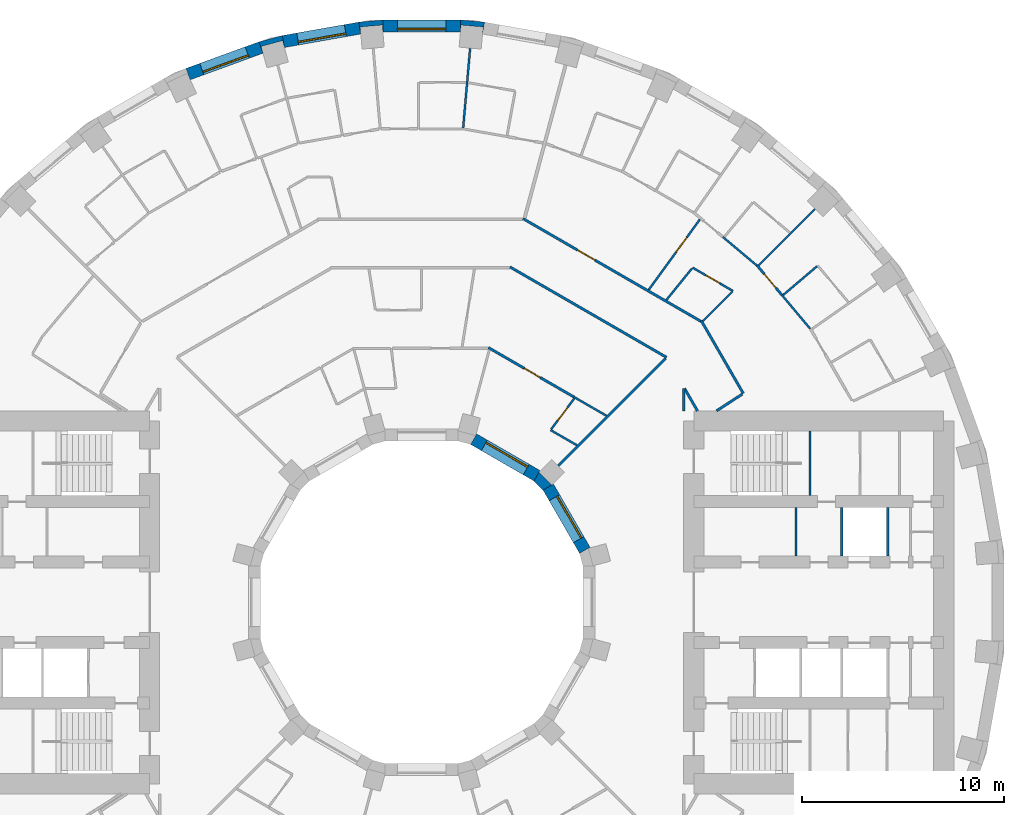
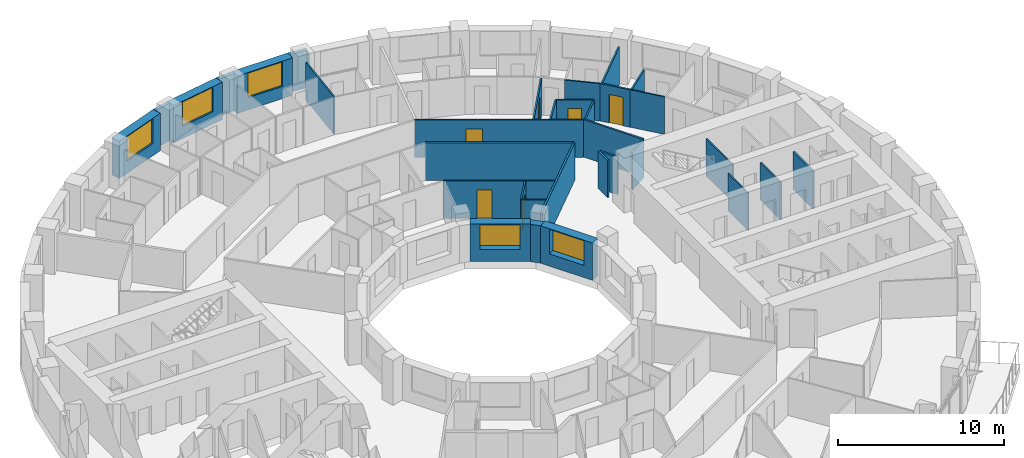
# One storey, part 13 of 17: 34 walls, 6 doors, 5 windows, 11 openings.
"""IFC4 building model written with IfcOpenShell, lengths in metres."""

from ifc_helpers import new_model, si_unit, direction, frame, frame_2d, origin, place, context, subcontext, project, spatial, polyline, rectangle, outline, extrude, material, layer, layer_set, type_object, element, fill, save


model = new_model("IFC4")

# Units and contexts
model_context = context("Model", 3, precision=1e-05, world=origin(), true_north=direction((0.0, 1.0)))
body_context = subcontext(model_context, "Body", "Model", "MODEL_VIEW")
ifc_project = project(units=[si_unit("LENGTHUNIT", "METRE"), si_unit("AREAUNIT", "SQUARE_METRE"), si_unit("VOLUMEUNIT", "CUBIC_METRE"), si_unit("PLANEANGLEUNIT", "RADIAN"), si_unit("MASSUNIT", "GRAM", prefix="KILO")], contexts=[model_context])

# Site, building, storey
site_placement = place(None, origin())
site = spatial("IfcSite", under=ifc_project, at=site_placement, CompositionType="ELEMENT")
building_placement = place(site_placement, origin())
building = spatial("IfcBuilding", under=site, at=building_placement, Name="Saqina Gate Tower", CompositionType="ELEMENT")
storey_placement = place(building_placement, frame((0.0, 0.0, 29.60009765625)))
storey = spatial("IfcBuildingStorey", under=building, at=storey_placement, Name="L07", CompositionType="ELEMENT", Elevation=29.60009765625)

# Walls
ifc_material_1 = material(Name="Brick masonry (red)", Category="masonry")
wall_type_1 = type_object("IfcWallType", Name="BRICK PIER COPING RED", PredefinedType="SOLIDWALL", material=ifc_material_1)
wall_1_placement = place(storey_placement, origin())
element("IfcWall", 1, at=wall_1_placement, inside=storey, type_object=wall_type_1, Name="Pier cap L07 column 9", PredefinedType="SOLIDWALL", context=body_context, shape_type="SweptSolid", body=[
    extrude(outline(polyline([(3.122802734375, 28.78466796875), (1.9228515625, 28.8896484375), (1.9228515625, 28.28955078125), (1.95361328125, 28.638671875), (3.04931640625, 28.54296875), (3.018798828125, 28.19384765625), (3.122802734375, 28.78466796875)])), origin(), (0.0, 0.0, 1.0), 2.75),
])
wall_2_placement = place(storey_placement, origin())
element("IfcWall", 2, at=wall_2_placement, inside=storey, type_object=wall_type_1, Name="Pier cap L07 column 10", PredefinedType="SOLIDWALL", context=body_context, shape_type="SweptSolid", body=[
    extrude(outline(polyline([(-1.9228515625, 28.8896484375), (-3.122802734375, 28.78466796875), (-3.018798828125, 28.19384765625), (-3.04931640625, 28.54296875), (-1.95361328125, 28.638671875), (-1.9228515625, 28.28955078125), (-1.9228515625, 28.8896484375)])), origin(), (0.0, 0.0, 1.0), 2.75),
])
wall_3_placement = place(storey_placement, origin())
element("IfcWall", 3, at=wall_3_placement, inside=storey, type_object=wall_type_1, Name="Pier cap L07 column 11", PredefinedType="SOLIDWALL", context=body_context, shape_type="SweptSolid", body=[
    extrude(outline(polyline([(-6.910400390625, 28.11669921875), (-8.073974609375, 27.80517578125), (-7.86865234375, 27.2412109375), (-7.95947265625, 27.57958984375), (-6.896728515625, 27.864501953125), (-6.80615234375, 27.52587890625), (-6.910400390625, 28.11669921875)])), origin(), (0.0, 0.0, 1.0), 2.75),
])
ifc_material_2 = material(Name="Gypsum board on steel studs", Category="steel")
ifc_layer_1 = layer(ifc_material_2, 0.10009765625)
ifc_layer_set_1 = layer_set([ifc_layer_1], Name="CORE PARTITION")
wall_type_2 = type_object("IfcWallType", Name="CORE PARTITION", PredefinedType="PARTITIONING", material=ifc_layer_set_1)
wall_4_placement = place(storey_placement, frame((18.582763671875, 2.300048828125, 0.0), z_axis=(0.0, 0.0, 1.0), x_axis=(0.0, 1.0, 0.0)))
element("IfcWall", 4, at=wall_4_placement, inside=storey, type_object=wall_type_2, Name="L07-CP-E01", PredefinedType="PARTITIONING", context=body_context, shape_type="SweptSolid", body=[
    extrude(rectangle(XDim=2.39990234375, YDim=0.10009765625, at=frame_2d((1.199951171875, 0.0))), origin(), (0.0, 0.0, 1.0), 2.75),
])

# Wall, opening, window
ifc_material_3 = material(Name="Brick masonry (red)", Category="masonry")
ifc_layer_2 = layer(ifc_material_3, 0.60009765625)
ifc_layer_set_2 = layer_set([ifc_layer_2], Name="FW-BRICK-RED")
wall_type_3 = type_object("IfcWallType", Name="FW-BRICK-RED", PredefinedType="SOLIDWALL", material=ifc_layer_set_2)
wall_5_placement = place(storey_placement, frame((1.9228515625, 28.589599609375, 0.0), z_axis=(0.0, 0.0, 1.0), x_axis=(-1.0, 0.0, 0.0)))
wall_5 = element("IfcWall", 5, at=wall_5_placement, inside=storey, type_object=wall_type_3, Name="Facade wall L07 facet 9", PredefinedType="SOLIDWALL", context=body_context, shape_type="SweptSolid", body=[
    extrude(rectangle(XDim=3.845703125, YDim=0.60009765625, at=frame_2d((1.9228515625, 0.0))), origin(), (0.0, 0.0, 1.0), 2.75),
])
opening_1_placement = place(wall_5_placement, frame((0.722900390625, 0.0, 0.89990234375)))
opening_1 = element("IfcOpeningElement", 6, at=opening_1_placement, cuts=wall_5, Name="Opening G01-W07", PredefinedType="OPENING", context=body_context, shape_type="SweptSolid", body=[
    extrude(rectangle(XDim=2.39990234375, YDim=1.800048828125, at=frame_2d((1.199951171875, 0.89990234375))), frame((0.0, 0.31201171875, 0.0), z_axis=(0.0, -1.0, 0.0), x_axis=(1.0, 0.0, 0.0)), (0.0, 0.0, 1.0), 0.6240234375),
])
ifc_material_4 = material(Name="Aluminium glazing", Category="aluminium")
window_type_1 = type_object("IfcWindowType", Name="WN-A", PartitioningType="SINGLE_PANEL", PredefinedType="WINDOW", material=ifc_material_4)
window_1_placement = place(opening_1_placement, origin())
window_1 = element("IfcWindow", 7, at=window_1_placement, inside=storey, type_object=window_type_1, Name="Window L07 facet 9", OverallHeight=1.800048828125, OverallWidth=2.39990234375, PartitioningType="SINGLE_PANEL", PredefinedType="WINDOW", context=body_context, shape_type="SweptSolid", body=[
    extrude(rectangle(XDim=2.39990234375, YDim=1.800048828125, at=frame_2d((1.199951171875, 0.89990234375))), frame((0.0, 0.179931640625, 0.0), z_axis=(0.0, -1.0, 0.0), x_axis=(1.0, 0.0, 0.0)), (0.0, 0.0, 1.0), 0.06005859375),
])
fill(opening_1, window_1)

wall_6_placement = place(storey_placement, frame((-3.07080078125, 28.4892578125, 0.0), z_axis=(0.0, 0.0, 1.0), x_axis=(-0.984800809218, -0.173687553279, 0.0)))
wall_6 = element("IfcWall", 8, at=wall_6_placement, inside=storey, type_object=wall_type_3, Name="Facade wall L07 facet 10", PredefinedType="SOLIDWALL", context=body_context, shape_type="SweptSolid", body=[
    extrude(rectangle(XDim=3.845703125, YDim=0.60009765625, at=frame_2d((1.9228515625, 0.0))), origin(), (0.0, 0.0, 1.0), 2.75),
])
opening_2_placement = place(wall_6_placement, frame((0.722900390625, 0.0, 0.89990234375)))
opening_2 = element("IfcOpeningElement", 9, at=opening_2_placement, cuts=wall_6, Name="Opening G01-W08", PredefinedType="OPENING", context=body_context, shape_type="SweptSolid", body=[
    extrude(rectangle(XDim=2.39990234375, YDim=1.800048828125, at=frame_2d((1.199951171875, 0.89990234375))), frame((0.0, 0.31201171875, 0.0), z_axis=(0.0, -1.0, 0.0), x_axis=(1.0, 0.0, 0.0)), (0.0, 0.0, 1.0), 0.6240234375),
])
window_2_placement = place(opening_2_placement, origin())
window_2 = element("IfcWindow", 10, at=window_2_placement, inside=storey, type_object=window_type_1, Name="Window L07 facet 10", OverallHeight=1.800048828125, OverallWidth=2.39990234375, PartitioningType="SINGLE_PANEL", PredefinedType="WINDOW", context=body_context, shape_type="SweptSolid", body=[
    extrude(rectangle(XDim=2.39990234375, YDim=1.800048828125, at=frame_2d((1.199951171875, 0.89990234375))), frame((0.0, 0.179931640625, 0.0), z_axis=(0.0, -1.0, 0.0), x_axis=(1.0, 0.0, 0.0)), (0.0, 0.0, 1.0), 0.06005859375),
])
fill(opening_2, window_2)

wall_7_placement = place(storey_placement, frame((-7.97119140625, 27.523193359375, 0.0), z_axis=(0.0, 0.0, 1.0), x_axis=(-0.939689588564, -0.342028474173, 0.0)))
wall_7 = element("IfcWall", 11, at=wall_7_placement, inside=storey, type_object=wall_type_3, Name="Facade wall L07 facet 11", PredefinedType="SOLIDWALL", context=body_context, shape_type="SweptSolid", body=[
    extrude(rectangle(XDim=3.845947265625, YDim=0.60009765625, at=frame_2d((1.9228515625, 0.0))), origin(), (0.0, 0.0, 1.0), 2.75),
])
opening_3_placement = place(wall_7_placement, frame((0.722900390625, 0.0, 0.89990234375)))
opening_3 = element("IfcOpeningElement", 12, at=opening_3_placement, cuts=wall_7, Name="Opening G01-W09", PredefinedType="OPENING", context=body_context, shape_type="SweptSolid", body=[
    extrude(rectangle(XDim=2.39990234375, YDim=1.800048828125, at=frame_2d((1.199951171875, 0.89990234375))), frame((0.0, 0.31201171875, 0.0), z_axis=(0.0, -1.0, 0.0), x_axis=(1.0, 0.0, 0.0)), (0.0, 0.0, 1.0), 0.6240234375),
])
window_3_placement = place(opening_3_placement, origin())
window_3 = element("IfcWindow", 13, at=window_3_placement, inside=storey, type_object=window_type_1, Name="Window L07 facet 11", OverallHeight=1.800048828125, OverallWidth=2.39990234375, PartitioningType="SINGLE_PANEL", PredefinedType="WINDOW", context=body_context, shape_type="SweptSolid", body=[
    extrude(rectangle(XDim=2.39990234375, YDim=1.800048828125, at=frame_2d((1.199951171875, 0.89990234375))), frame((0.0, 0.179931640625, 0.0), z_axis=(0.0, -1.0, 0.0), x_axis=(1.0, 0.0, 0.0)), (0.0, 0.0, 1.0), 0.06005859375),
])
fill(opening_3, window_3)

ifc_material_5 = material(Name="Glazed ceramic tile", Category="ceramic")
ifc_layer_3 = layer(ifc_material_5, 0.60009765625)
ifc_layer_set_3 = layer_set([ifc_layer_3], Name="IW-TILE")
wall_type_4 = type_object("IfcWallType", Name="IW-TILE", PredefinedType="SOLIDWALL", material=ifc_layer_set_3)
wall_8_placement = place(storey_placement, frame((8.09423828125, 2.580322265625, 0.0), z_axis=(0.0, 0.0, 1.0), x_axis=(-0.499992569217, 0.866029693906, 0.0)))
wall_8 = element("IfcWall", 14, at=wall_8_placement, inside=storey, type_object=wall_type_4, Name="Well wall L07 facet 1", PredefinedType="SOLIDWALL", context=body_context, shape_type="SweptSolid", body=[
    extrude(rectangle(XDim=3.625, YDim=0.60009765625, at=frame_2d((1.8125, 0.0))), origin(), (0.0, 0.0, 1.0), 2.75),
])
opening_4_placement = place(wall_8_placement, frame((0.612548828125, 0.0, 0.89990234375)))
opening_4 = element("IfcOpeningElement", 15, at=opening_4_placement, cuts=wall_8, Name="Opening G01-W23", PredefinedType="OPENING", context=body_context, shape_type="SweptSolid", body=[
    extrude(rectangle(XDim=2.39990234375, YDim=1.800048828125, at=frame_2d((1.199951171875, 0.89990234375))), frame((0.0, 0.31201171875, 0.0), z_axis=(0.0, -1.0, 0.0), x_axis=(1.0, 0.0, 0.0)), (0.0, 0.0, 1.0), 0.6240234375),
])
ifc_material_6 = material(Name="Aluminium glazing", Category="aluminium")
window_type_2 = type_object("IfcWindowType", Name="WN-W", PartitioningType="SINGLE_PANEL", PredefinedType="WINDOW", material=ifc_material_6)
window_4_placement = place(opening_4_placement, origin())
window_4 = element("IfcWindow", 16, at=window_4_placement, inside=storey, type_object=window_type_2, Name="Well window L07 facet 1", OverallHeight=1.800048828125, OverallWidth=2.39990234375, PartitioningType="SINGLE_PANEL", PredefinedType="WINDOW", context=body_context, shape_type="SweptSolid", body=[
    extrude(rectangle(XDim=2.39990234375, YDim=1.800048828125, at=frame_2d((1.199951171875, 0.89990234375))), frame((0.0, -0.119873046875, 0.0), z_axis=(0.0, -1.0, 0.0), x_axis=(1.0, 0.0, 0.0)), (0.0, 0.0, 1.0), 0.06005859375),
])
fill(opening_4, window_4)

wall_9_placement = place(storey_placement, frame((5.7197265625, 6.28173828125, 0.0), z_axis=(0.0, 0.0, 1.0), x_axis=(-0.866029693906, 0.499992569217, 0.0)))
wall_9 = element("IfcWall", 17, at=wall_9_placement, inside=storey, type_object=wall_type_4, Name="Well wall L07 facet 2", PredefinedType="SOLIDWALL", context=body_context, shape_type="SweptSolid", body=[
    extrude(rectangle(XDim=3.625, YDim=0.60009765625, at=frame_2d((1.8125, 0.0))), origin(), (0.0, 0.0, 1.0), 2.75),
])
opening_5_placement = place(wall_9_placement, frame((0.612548828125, 0.0, 0.89990234375)))
opening_5 = element("IfcOpeningElement", 18, at=opening_5_placement, cuts=wall_9, Name="Opening G01-W24", PredefinedType="OPENING", context=body_context, shape_type="SweptSolid", body=[
    extrude(rectangle(XDim=2.39990234375, YDim=1.800048828125, at=frame_2d((1.199951171875, 0.89990234375))), frame((0.0, 0.31201171875, 0.0), z_axis=(0.0, -1.0, 0.0), x_axis=(1.0, 0.0, 0.0)), (0.0, 0.0, 1.0), 0.6240234375),
])
window_5_placement = place(opening_5_placement, origin())
window_5 = element("IfcWindow", 19, at=window_5_placement, inside=storey, type_object=window_type_2, Name="Well window L07 facet 2", OverallHeight=1.800048828125, OverallWidth=2.39990234375, PartitioningType="SINGLE_PANEL", PredefinedType="WINDOW", context=body_context, shape_type="SweptSolid", body=[
    extrude(rectangle(XDim=2.39990234375, YDim=1.800048828125, at=frame_2d((1.199951171875, 0.89990234375))), frame((0.0, -0.119873046875, 0.0), z_axis=(0.0, -1.0, 0.0), x_axis=(1.0, 0.0, 0.0)), (0.0, 0.0, 1.0), 0.06005859375),
])
fill(opening_5, window_5)

# Walls
ifc_material_7 = material(Name="Gypsum board on steel studs, 100 mm", Category="steel")
ifc_layer_4 = layer(ifc_material_7, 0.10009765625)
ifc_layer_set_4 = layer_set([ifc_layer_4], Name="PARTITION 100")
wall_type_5 = type_object("IfcWallType", Name="PARTITION 100", PredefinedType="PARTITIONING", material=ifc_layer_set_4)
wall_10_placement = place(storey_placement, frame((17.865478515625, 15.251953125, 0.0), z_axis=(0.0, 0.0, 1.0), x_axis=(0.642711379907, -0.766108401036, 0.0)))
element("IfcWall", 20, at=wall_10_placement, inside=storey, type_object=wall_type_5, Name="PARTITION PW3-29", PredefinedType="PARTITIONING", context=body_context, shape_type="SweptSolid", body=[
    extrude(rectangle(XDim=2.192138671875, YDim=0.10009765625, at=frame_2d((1.09619140625, 0.0))), origin(), (0.0, 0.0, 1.0), 2.75),
])
wall_11_placement = place(storey_placement, frame((14.945556640625, 18.122802734375, 0.0), z_axis=(0.0, 0.0, 1.0), x_axis=(0.765889072534, -0.642972727705, 0.0)))
element("IfcWall", 21, at=wall_11_placement, inside=storey, type_object=wall_type_5, Name="PARTITION PW3-34", PredefinedType="PARTITIONING", context=body_context, shape_type="SweptSolid", body=[
    extrude(rectangle(XDim=2.19287109375, YDim=0.10009765625, at=frame_2d((1.096435546875, 0.0))), origin(), (0.0, 0.0, 1.0), 2.75),
])
wall_12_placement = place(storey_placement, frame((6.39697265625, 8.5458984375, 0.0), z_axis=(0.0, 0.0, 1.0), x_axis=(0.866317379693, -0.499493941547, 0.0)))
element("IfcWall", 22, at=wall_12_placement, inside=storey, type_object=wall_type_5, Name="PARTITION PW3-41", PredefinedType="PARTITIONING", context=body_context, shape_type="SweptSolid", body=[
    extrude(rectangle(XDim=1.5107421875, YDim=0.10009765625, at=frame_2d((0.75537109375, 0.0))), origin(), (0.0, 0.0, 1.0), 2.75),
])
wall_13_placement = place(storey_placement, frame((7.560791015625, 10.18408203125, 0.0), z_axis=(0.0, 0.0, 1.0), x_axis=(0.866043361281, -0.499968895414, 0.0)))
element("IfcWall", 23, at=wall_13_placement, inside=storey, type_object=wall_type_5, Name="PARTITION PW3-42", PredefinedType="PARTITIONING", context=body_context, shape_type="SweptSolid", body=[
    extrude(rectangle(XDim=1.85791015625, YDim=0.10009765625, at=frame_2d((0.928955078125, 0.0))), origin(), (0.0, 0.0, 1.0), 2.75),
])

# Wall, opening, door
wall_14_placement = place(storey_placement, frame((13.44091796875, 16.60400390625, 0.0), z_axis=(0.0, 0.0, 1.0), x_axis=(0.865969595378, -0.500096650539, 0.0)))
wall_14 = element("IfcWall", 24, at=wall_14_placement, inside=storey, type_object=wall_type_5, Name="PARTITION PW3-43", PredefinedType="PARTITIONING", context=body_context, shape_type="SweptSolid", body=[
    extrude(rectangle(XDim=2.3154296875, YDim=0.10009765625, at=frame_2d((1.15771484375, 0.0))), origin(), (0.0, 0.0, 1.0), 2.75),
])
opening_6_placement = place(wall_14_placement, frame((0.7578125, 0.0, 0.0)))
opening_6 = element("IfcOpeningElement", 25, at=opening_6_placement, cuts=wall_14, Name="Opening G01-D06", PredefinedType="OPENING", context=body_context, shape_type="SweptSolid", body=[
    extrude(rectangle(XDim=0.800048828125, YDim=2.10009765625, at=frame_2d((0.39990234375, 1.050048828125))), frame((0.0, 0.06201171875, 0.0), z_axis=(0.0, -1.0, 0.0), x_axis=(1.0, 0.0, 0.0)), (0.0, 0.0, 1.0), 0.1240234375),
])
ifc_material_8 = material(Name="Timber door leaf, 800 mm", Category="wood")
door_type_1 = type_object("IfcDoorType", Name="DOOR 800 TIMBER", OperationType="SINGLE_SWING_LEFT", PredefinedType="DOOR", material=ifc_material_8)
door_1_placement = place(opening_6_placement, origin())
door_1 = element("IfcDoor", 26, at=door_1_placement, inside=storey, type_object=door_type_1, Name="DOOR G01-D06", OperationType="SINGLE_SWING_RIGHT", OverallHeight=2.10009765625, OverallWidth=0.800048828125, PredefinedType="DOOR", context=body_context, shape_type="SweptSolid", body=[
    extrude(rectangle(XDim=0.800048828125, YDim=2.10009765625, at=frame_2d((0.39990234375, 1.050048828125))), frame((0.0, 0.02490234375, 0.0), z_axis=(0.0, -1.0, 0.0), x_axis=(1.0, 0.0, 0.0)), (0.0, 0.0, 1.0), 0.050048828125),
])
fill(opening_6, door_1)

# Walls
wall_15_placement = place(storey_placement, frame((17.93603515625, 15.246337890625, 0.0), z_axis=(0.0, 0.0, 1.0), x_axis=(0.76174213422, 0.647880329192, 0.0)))
element("IfcWall", 27, at=wall_15_placement, inside=storey, type_object=wall_type_5, Name="PARTITION PW3-89", PredefinedType="PARTITIONING", context=body_context, shape_type="SweptSolid", body=[
    extrude(rectangle(XDim=2.199951171875, YDim=0.10009765625, at=frame_2d((1.10009765625, 0.0))), origin(), (0.0, 0.0, 1.0), 2.75),
])
wall_16_placement = place(storey_placement, frame((13.953125, 13.953125, 0.0), z_axis=(0.0, 0.0, 1.0), x_axis=(0.707106781187, 0.707106781187, 0.0)))
element("IfcWall", 28, at=wall_16_placement, inside=storey, type_object=wall_type_5, Name="PARTITION PW3-90", PredefinedType="PARTITIONING", context=body_context, shape_type="SweptSolid", body=[
    extrude(rectangle(XDim=2.061279296875, YDim=0.10009765625, at=frame_2d((1.03076171875, 0.0))), origin(), (0.0, 0.0, 1.0), 2.75),
])
wall_17_placement = place(storey_placement, frame((16.71728515625, 16.71728515625, 0.0), z_axis=(0.0, 0.0, 1.0), x_axis=(0.707106781187, 0.707106781187, 0.0)))
element("IfcWall", 29, at=wall_17_placement, inside=storey, type_object=wall_type_5, Name="PARTITION PW3-91", PredefinedType="PARTITIONING", context=body_context, shape_type="SweptSolid", body=[
    extrude(rectangle(XDim=3.9482421875, YDim=0.10009765625, at=frame_2d((1.97412109375, 0.0))), origin(), (0.0, 0.0, 1.0), 2.75),
])
wall_18_placement = place(storey_placement, frame((12.142578125, 15.0, 0.0), z_axis=(0.0, 0.0, 1.0), x_axis=(0.629135445443, 0.777295691026, 0.0)))
element("IfcWall", 30, at=wall_18_placement, inside=storey, type_object=wall_type_5, Name="PARTITION PW3-95", PredefinedType="PARTITIONING", context=body_context, shape_type="SweptSolid", body=[
    extrude(rectangle(XDim=2.013671875, YDim=0.10009765625, at=frame_2d((1.0068359375, 0.0))), origin(), (0.0, 0.0, 1.0), 2.75),
])

# Wall, opening, door
wall_19_placement = place(storey_placement, frame((6.427001953125, 8.5859375, 0.0), z_axis=(0.0, 0.0, 1.0), x_axis=(0.599137140235, 0.800646418334, 0.0)))
wall_19 = element("IfcWall", 31, at=wall_19_placement, inside=storey, type_object=wall_type_5, Name="PARTITION PW3-97", PredefinedType="PARTITIONING", context=body_context, shape_type="SweptSolid", body=[
    extrude(rectangle(XDim=1.902099609375, YDim=0.10009765625, at=frame_2d((0.951171875, 0.0))), origin(), (0.0, 0.0, 1.0), 2.75),
])
opening_7_placement = place(wall_19_placement, frame((0.557373046875, 0.0, 0.0)))
opening_7 = element("IfcOpeningElement", 32, at=opening_7_placement, cuts=wall_19, Name="Opening G01-D08", PredefinedType="OPENING", context=body_context, shape_type="SweptSolid", body=[
    extrude(rectangle(XDim=0.800048828125, YDim=2.10009765625, at=frame_2d((0.39990234375, 1.050048828125))), frame((0.0, 0.06201171875, 0.0), z_axis=(0.0, -1.0, 0.0), x_axis=(1.0, 0.0, 0.0)), (0.0, 0.0, 1.0), 0.1240234375),
])
door_2_placement = place(opening_7_placement, origin())
door_2 = element("IfcDoor", 33, at=door_2_placement, inside=storey, type_object=door_type_1, Name="DOOR G01-D08", OperationType="SINGLE_SWING_RIGHT", OverallHeight=2.10009765625, OverallWidth=0.800048828125, PredefinedType="DOOR", context=body_context, shape_type="SweptSolid", body=[
    extrude(rectangle(XDim=0.800048828125, YDim=2.10009765625, at=frame_2d((0.39990234375, 1.050048828125))), frame((0.0, 0.02490234375, 0.0), z_axis=(0.0, -1.0, 0.0), x_axis=(1.0, 0.0, 0.0)), (0.0, 0.0, 1.0), 0.050048828125),
])
fill(opening_7, door_2)

wall_20_placement = place(storey_placement, frame((11.265869140625, 15.5068359375, 0.0), z_axis=(0.0, 0.0, 1.0), x_axis=(0.587926223092, 0.808914554326, 0.0)))
wall_20 = element("IfcWall", 34, at=wall_20_placement, inside=storey, type_object=wall_type_5, Name="PARTITION PW3-98", PredefinedType="PARTITIONING", context=body_context, shape_type="SweptSolid", body=[
    extrude(rectangle(XDim=4.3173828125, YDim=0.10009765625, at=frame_2d((2.15869140625, 0.0))), origin(), (0.0, 0.0, 1.0), 2.75),
])
opening_8_placement = place(wall_20_placement, frame((2.30859375, 0.0, 0.0)))
opening_8 = element("IfcOpeningElement", 35, at=opening_8_placement, cuts=wall_20, Name="Opening G01-D09", PredefinedType="OPENING", context=body_context, shape_type="SweptSolid", body=[
    extrude(rectangle(XDim=0.89990234375, YDim=2.10009765625, at=frame_2d((0.449951171875, 1.050048828125))), frame((0.0, 0.06201171875, 0.0), z_axis=(0.0, -1.0, 0.0), x_axis=(1.0, 0.0, 0.0)), (0.0, 0.0, 1.0), 0.1240234375),
])
ifc_material_9 = material(Name="Timber door leaf, 900 mm", Category="wood")
door_type_2 = type_object("IfcDoorType", Name="DOOR 900 TIMBER", OperationType="SINGLE_SWING_LEFT", PredefinedType="DOOR", material=ifc_material_9)
door_3_placement = place(opening_8_placement, frame((0.89990234375, 0.0, 0.0), z_axis=(0.0, 0.0, 1.0), x_axis=(-1.0, 0.0, 0.0)))
door_3 = element("IfcDoor", 36, at=door_3_placement, inside=storey, type_object=door_type_2, Name="DOOR G01-D09", OperationType="SINGLE_SWING_LEFT", OverallHeight=2.10009765625, OverallWidth=0.89990234375, PredefinedType="DOOR", context=body_context, shape_type="SweptSolid", body=[
    extrude(rectangle(XDim=0.89990234375, YDim=2.10009765625, at=frame_2d((0.449951171875, 1.050048828125))), frame((0.0, 0.02490234375, 0.0), z_axis=(0.0, -1.0, 0.0), x_axis=(1.0, 0.0, 0.0)), (0.0, 0.0, 1.0), 0.050048828125),
])
fill(opening_8, door_3)

# Walls
wall_21_placement = place(storey_placement, frame((2.059326171875, 23.539794921875, 0.0), z_axis=(0.0, 0.0, 1.0), x_axis=(0.087044593785, 0.996204416118, 0.0)))
element("IfcWall", 37, at=wall_21_placement, inside=storey, type_object=wall_type_5, Name="PARTITION PW3-118", PredefinedType="PARTITIONING", context=body_context, shape_type="SweptSolid", body=[
    extrude(rectangle(XDim=3.96044921875, YDim=0.10009765625, at=frame_2d((1.980224609375, 0.0))), origin(), (0.0, 0.0, 1.0), 2.75),
])
ifc_material_10 = material(Name="Gypsum board on steel studs, 125 mm, fire rated", Category="steel")
ifc_layer_5 = layer(ifc_material_10, 0.125)
ifc_layer_set_5 = layer_set([ifc_layer_5], Name="PARTITION EI 30 125")
wall_type_6 = type_object("IfcWallType", Name="PARTITION EI 30 125", PredefinedType="PARTITIONING", material=ifc_layer_set_5)
wall_22_placement = place(storey_placement, frame((13.0400390625, 10.61376953125, 0.0), z_axis=(0.0, 0.0, 1.0), x_axis=(0.500018234033, -0.866014876105, 0.0)))
element("IfcWall", 38, at=wall_22_placement, inside=storey, type_object=wall_type_6, Name="PARTITION PW1-04", PredefinedType="PARTITIONING", context=body_context, shape_type="SweptSolid", body=[
    extrude(rectangle(XDim=1.2861328125, YDim=0.125, at=frame_2d((0.64306640625, 0.0))), origin(), (0.0, 0.0, 1.0), 2.75),
])
wall_23_placement = place(storey_placement, frame((13.872802734375, 13.971435546875, 0.0), z_axis=(0.0, 0.0, 1.0), x_axis=(0.500063859158, -0.865988531543, 0.0)))
element("IfcWall", 39, at=wall_23_placement, inside=storey, type_object=wall_type_6, Name="PARTITION PW1-05", PredefinedType="PARTITIONING", context=body_context, shape_type="SweptSolid", body=[
    extrude(rectangle(XDim=4.16796875, YDim=0.125, at=frame_2d((2.083984375, 0.0))), origin(), (0.0, 0.0, 1.0), 2.75),
])

# Wall, opening, door
wall_24_placement = place(storey_placement, frame((16.632080078125, 16.7216796875, 0.0), z_axis=(0.0, 0.0, 1.0), x_axis=(0.64304586183, -0.765827669638, 0.0)))
wall_24 = element("IfcWall", 40, at=wall_24_placement, inside=storey, type_object=wall_type_6, Name="PARTITION PW1-07", PredefinedType="PARTITIONING", context=body_context, shape_type="SweptSolid", body=[
    extrude(rectangle(XDim=1.918701171875, YDim=0.125, at=frame_2d((0.95947265625, 0.0))), origin(), (0.0, 0.0, 1.0), 2.75),
])
opening_9_placement = place(wall_24_placement, frame((0.56591796875, 0.0, 0.0)))
opening_9 = element("IfcOpeningElement", 41, at=opening_9_placement, cuts=wall_24, Name="Opening G01-D04", PredefinedType="OPENING", context=body_context, shape_type="SweptSolid", body=[
    extrude(rectangle(XDim=0.89990234375, YDim=2.10009765625, at=frame_2d((0.449951171875, 1.050048828125))), frame((0.0, 0.074462890625, 0.0), z_axis=(0.0, -1.0, 0.0), x_axis=(1.0, 0.0, 0.0)), (0.0, 0.0, 1.0), 0.14892578125),
])
ifc_material_11 = material(Name="Fire door leaf EI 30, 900 mm")
door_type_3 = type_object("IfcDoorType", Name="DOOR 900 EI 30", OperationType="SINGLE_SWING_LEFT", PredefinedType="DOOR", material=ifc_material_11)
door_4_placement = place(opening_9_placement, frame((0.89990234375, 0.0, 0.0), z_axis=(0.0, 0.0, 1.0), x_axis=(-1.0, 0.0, 0.0)))
door_4 = element("IfcDoor", 42, at=door_4_placement, inside=storey, type_object=door_type_3, Name="DOOR G01-D04", OperationType="SINGLE_SWING_RIGHT", OverallHeight=2.10009765625, OverallWidth=0.89990234375, PredefinedType="DOOR", context=body_context, shape_type="SweptSolid", body=[
    extrude(rectangle(XDim=0.89990234375, YDim=2.10009765625, at=frame_2d((0.449951171875, 1.050048828125))), frame((0.0, 0.02490234375, 0.0), z_axis=(0.0, -1.0, 0.0), x_axis=(1.0, 0.0, 0.0)), (0.0, 0.0, 1.0), 0.050048828125),
])
fill(opening_9, door_4)

wall_25_placement = place(storey_placement, frame((3.3134765625, 12.635986328125, 0.0), z_axis=(0.0, 0.0, 1.0), x_axis=(0.86605046449, -0.499956591072, 0.0)))
wall_25 = element("IfcWall", 43, at=wall_25_placement, inside=storey, type_object=wall_type_6, Name="PARTITION PW1-17", PredefinedType="PARTITIONING", context=body_context, shape_type="SweptSolid", body=[
    extrude(rectangle(XDim=4.904296875, YDim=0.125, at=frame_2d((2.4521484375, 0.0))), origin(), (0.0, 0.0, 1.0), 2.75),
])
opening_10_placement = place(wall_25_placement, frame((2.063232421875, 0.0, 0.0)))
opening_10 = element("IfcOpeningElement", 44, at=opening_10_placement, cuts=wall_25, Name="Opening G01-D12", PredefinedType="OPENING", context=body_context, shape_type="SweptSolid", body=[
    extrude(rectangle(XDim=0.89990234375, YDim=2.10009765625, at=frame_2d((0.449951171875, 1.050048828125))), frame((0.0, 0.074462890625, 0.0), z_axis=(0.0, -1.0, 0.0), x_axis=(1.0, 0.0, 0.0)), (0.0, 0.0, 1.0), 0.14892578125),
])
door_5_placement = place(opening_10_placement, origin())
door_5 = element("IfcDoor", 45, at=door_5_placement, inside=storey, type_object=door_type_3, Name="DOOR G01-D12", OperationType="SINGLE_SWING_RIGHT", OverallHeight=2.10009765625, OverallWidth=0.89990234375, PredefinedType="DOOR", context=body_context, shape_type="SweptSolid", body=[
    extrude(rectangle(XDim=0.89990234375, YDim=2.10009765625, at=frame_2d((0.449951171875, 1.050048828125))), frame((0.0, 0.02490234375, 0.0), z_axis=(0.0, -1.0, 0.0), x_axis=(1.0, 0.0, 0.0)), (0.0, 0.0, 1.0), 0.050048828125),
])
fill(opening_10, door_5)

# Wall
wall_26_placement = place(storey_placement, frame((4.385498046875, 16.635986328125, 0.0), z_axis=(0.0, 0.0, 1.0), x_axis=(0.866033263559, -0.499986386223, 0.0)))
element("IfcWall", 46, at=wall_26_placement, inside=storey, type_object=wall_type_6, Name="PARTITION PW1-18", PredefinedType="PARTITIONING", context=body_context, shape_type="SweptSolid", body=[
    extrude(rectangle(XDim=8.968017578125, YDim=0.125, at=frame_2d((4.48388671875, 0.0))), origin(), (0.0, 0.0, 1.0), 2.75),
])

# Wall, opening, door
wall_27_placement = place(storey_placement, frame((5.028564453125, 19.0361328125, 0.0), z_axis=(0.0, 0.0, 1.0), x_axis=(0.866024825845, -0.50000100102, 0.0)))
wall_27 = element("IfcWall", 47, at=wall_27_placement, inside=storey, type_object=wall_type_6, Name="PARTITION PW1-19", PredefinedType="PARTITIONING", context=body_context, shape_type="SweptSolid", body=[
    extrude(rectangle(XDim=10.19189453125, YDim=0.125, at=frame_2d((5.095947265625, 0.0))), origin(), (0.0, 0.0, 1.0), 2.75),
])
opening_11_placement = place(wall_27_placement, frame((3.115966796875, 0.0, 0.0)))
opening_11 = element("IfcOpeningElement", 48, at=opening_11_placement, cuts=wall_27, Name="Opening G01-D13", PredefinedType="OPENING", context=body_context, shape_type="SweptSolid", body=[
    extrude(rectangle(XDim=1.0, YDim=2.10009765625, at=frame_2d((0.5, 1.050048828125))), frame((0.0, 0.074462890625, 0.0), z_axis=(0.0, -1.0, 0.0), x_axis=(1.0, 0.0, 0.0)), (0.0, 0.0, 1.0), 0.14892578125),
])
ifc_material_12 = material(Name="Fire door leaf EI 30, 1000 mm")
door_type_4 = type_object("IfcDoorType", Name="DOOR 1000 EI 30", OperationType="SINGLE_SWING_LEFT", PredefinedType="DOOR", material=ifc_material_12)
door_6_placement = place(opening_11_placement, origin())
door_6 = element("IfcDoor", 49, at=door_6_placement, inside=storey, type_object=door_type_4, Name="DOOR G01-D13", OperationType="SINGLE_SWING_LEFT", OverallHeight=2.10009765625, OverallWidth=1.0, PredefinedType="DOOR", context=body_context, shape_type="SweptSolid", body=[
    extrude(rectangle(XDim=1.0, YDim=2.10009765625, at=frame_2d((0.5, 1.050048828125))), frame((0.0, 0.02490234375, 0.0), z_axis=(0.0, -1.0, 0.0), x_axis=(1.0, 0.0, 0.0)), (0.0, 0.0, 1.0), 0.050048828125),
])
fill(opening_11, door_6)

# Walls
wall_28_placement = place(storey_placement, frame((14.62890625, 9.5, 0.0), z_axis=(0.0, 0.0, 1.0), x_axis=(0.83882853689, 0.544395706908, 0.0)))
element("IfcWall", 50, at=wall_28_placement, inside=storey, type_object=wall_type_6, Name="PARTITION PW1-45", PredefinedType="PARTITIONING", context=body_context, shape_type="SweptSolid", body=[
    extrude(rectangle(XDim=1.520751953125, YDim=0.125, at=frame_2d((0.76025390625, 0.0))), origin(), (0.0, 0.0, 1.0), 2.75),
])
wall_29_placement = place(storey_placement, frame((6.78271484375, 6.78271484375, 0.0), z_axis=(0.0, 0.0, 1.0), x_axis=(0.707106781187, 0.707106781187, 0.0)))
element("IfcWall", 51, at=wall_29_placement, inside=storey, type_object=wall_type_6, Name="PARTITION PW1-48", PredefinedType="PARTITIONING", context=body_context, shape_type="SweptSolid", body=[
    extrude(rectangle(XDim=7.531005859375, YDim=0.125, at=frame_2d((3.765625, 0.0))), origin(), (0.0, 0.0, 1.0), 2.75),
])
wall_30_placement = place(storey_placement, frame((13.0, 9.5, 0.0), z_axis=(0.0, 0.0, 1.0), x_axis=(0.0, 1.0, 0.0)))
element("IfcWall", 52, at=wall_30_placement, inside=storey, type_object=wall_type_6, Name="PARTITION PW1-54", PredefinedType="PARTITIONING", context=body_context, shape_type="SweptSolid", body=[
    extrude(rectangle(XDim=1.12060546875, YDim=0.125, at=frame_2d((0.560302734375, 0.0))), origin(), (0.0, 0.0, 1.0), 2.75),
])
ifc_material_13 = material(Name="Autoclaved aerated concrete block", Category="concrete")
ifc_layer_6 = layer(ifc_material_13, 0.1201171875)
ifc_layer_set_6 = layer_set([ifc_layer_6], Name="SHAFT PARTITION")
wall_type_7 = type_object("IfcWallType", Name="SHAFT PARTITION", PredefinedType="PARTITIONING", material=ifc_layer_set_6)
for number, where, z_axis, x_axis, name in (
    (53, (20.840087890625, 2.300048828125, 0.0), (0.0, 0.0, 1.0), (0.0, 1.0, 0.0), "L07-CP-E02"),
    (54, (23.1201171875, 2.300048828125, 0.0), (0.0, 0.0, 1.0), (0.0, 1.0, 0.0), "L07-CP-E03"),
):
    element("IfcWall", number, at=place(storey_placement, frame(where, z_axis=z_axis, x_axis=x_axis)), inside=storey, type_object=wall_type_7, Name=name, PredefinedType="PARTITIONING", context=body_context, shape_type="SweptSolid", body=[
        extrude(rectangle(XDim=2.39990234375, YDim=0.1201171875, at=frame_2d((1.199951171875, 0.0))), origin(), (0.0, 0.0, 1.0), 2.75),
    ])
ifc_material_14 = material(Name="Autoclaved aerated concrete block", Category="concrete")
ifc_layer_7 = layer(ifc_material_14, 0.10009765625)
ifc_layer_set_7 = layer_set([ifc_layer_7], Name="STAIR ENCLOSURE WALL")
wall_type_8 = type_object("IfcWallType", Name="STAIR ENCLOSURE WALL", PredefinedType="PARTITIONING", material=ifc_layer_set_7)
wall_31_placement = place(storey_placement, frame((19.27001953125, 5.300048828125, 0.0), z_axis=(0.0, 0.0, 1.0), x_axis=(0.0, 1.0, 0.0)))
element("IfcWall", 55, at=wall_31_placement, inside=storey, type_object=wall_type_8, Name="L07-CP-E11", PredefinedType="PARTITIONING", context=body_context, shape_type="SweptSolid", body=[
    extrude(rectangle(XDim=3.199951171875, YDim=0.10009765625, at=frame_2d((1.60009765625, 0.0))), origin(), (0.0, 0.0, 1.0), 2.75),
])
ifc_material_15 = material(Name="Glazed ceramic tile", Category="ceramic")
wall_type_9 = type_object("IfcWallType", Name="TILE PIER COPING", PredefinedType="SOLIDWALL", material=ifc_material_15)
wall_32_placement = place(storey_placement, origin())
element("IfcWall", 56, at=wall_32_placement, inside=storey, type_object=wall_type_9, Name="Well pier cap L07 column 2", PredefinedType="SOLIDWALL", context=body_context, shape_type="SweptSolid", body=[
    extrude(outline(polyline([(5.821044921875, 6.45751953125), (5.569580078125, 6.02197265625), (6.02197265625, 5.569580078125), (6.45751953125, 5.821044921875), (5.821044921875, 6.45751953125)])), origin(), (0.0, 0.0, 1.0), 2.75),
])

save(model, "model.ifc")
